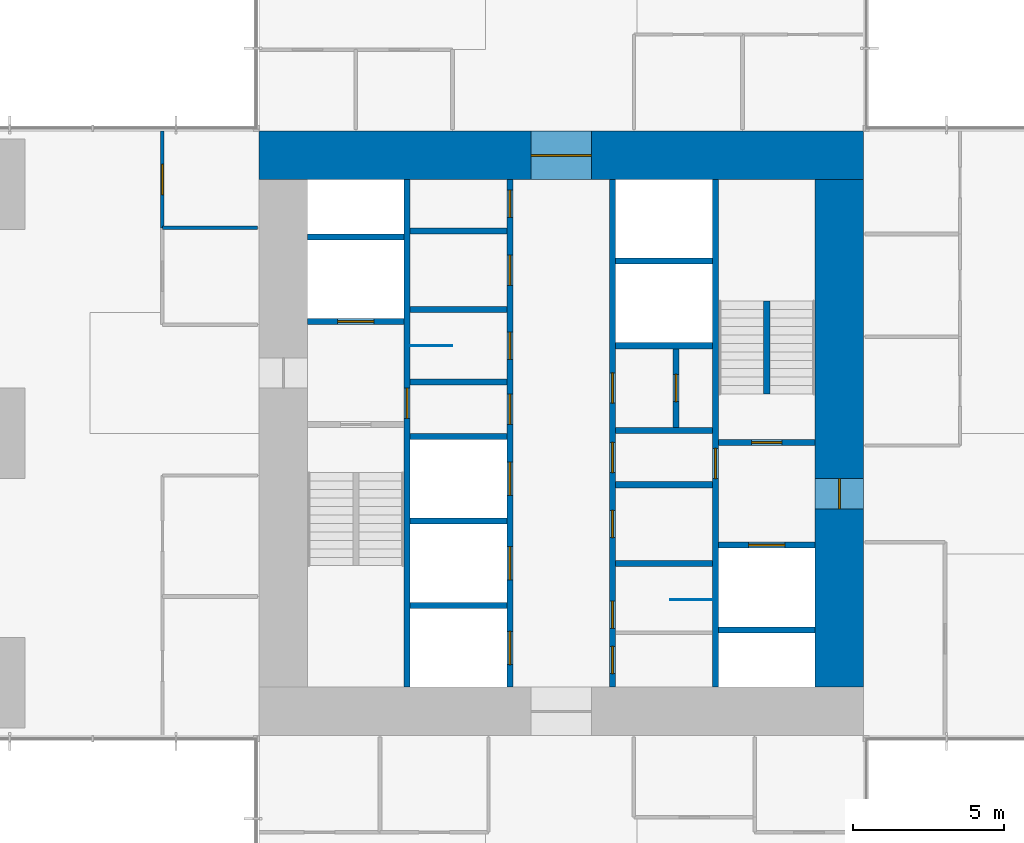
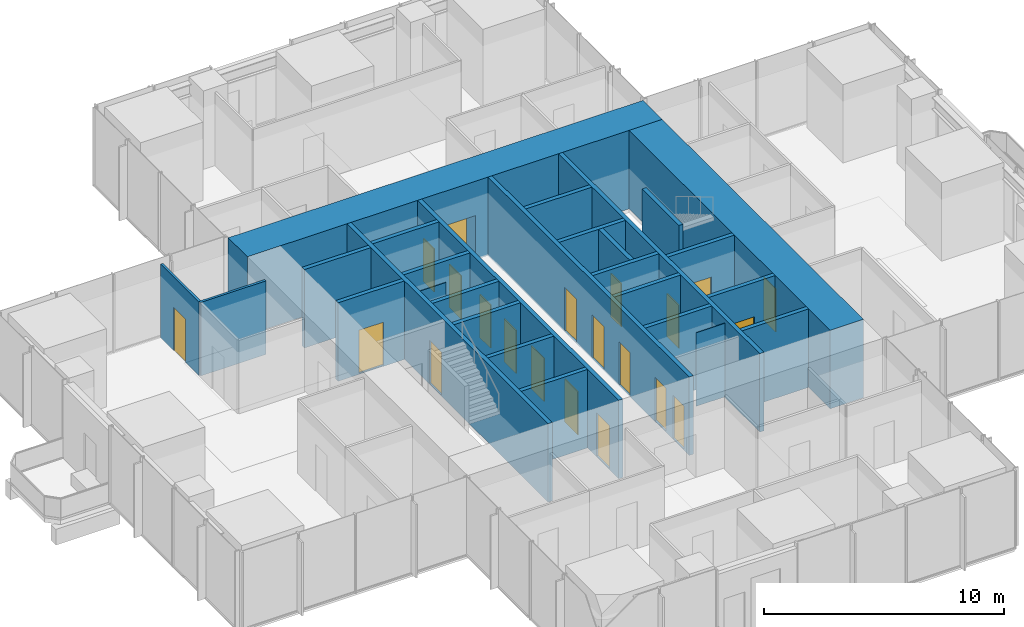
# One storey, part 9 of 13: 28 walls, 21 doors, 21 openings.
"""IFC4 building model written with IfcOpenShell, lengths in metres."""

import ifcopenshell
import ifcopenshell.guid

model = None  # the IFC model being written
_history = None  # IfcOwnerHistory: only IFC2X3 demands one
_inside = {}  # id of a spatial element -> (the spatial element, [elements in it])
_under = {}  # id of a project, library or spatial element -> (it, [spatial elements below it])
_declared = {}  # id of a project -> (the project, [libraries it declares])
_typed = {}  # id of a type object -> (the type object, [elements of that type])
_made_of = {}  # id of a material, layer set ... -> (it, [elements and type objects made of it])


def new_model(schema):
    """Start an empty IFC model of exactly this schema.

    Asked for "IFC4X3", IfcOpenShell would pick the latest addendum, in which some entities
    have other attributes; the version numbers below select the first issue.
    IFC2X3 requires an IfcOwnerHistory on every rooted entity: one is made here for all.
    """
    global model, _history
    if schema == "IFC4X3":
        model = ifcopenshell.file(schema_version=(4, 3, 0, 0))
    else:
        model = ifcopenshell.file(schema=schema)
    _inside.clear()
    _under.clear()
    _declared.clear()
    _typed.clear()
    _made_of.clear()
    _history = None
    if model.schema == "IFC2X3":
        org = make("IfcOrganization", Name="unknown")
        user = make(
            "IfcPersonAndOrganization",
            ThePerson=make("IfcPerson", FamilyName="unknown"),
            TheOrganization=org,
        )
        app = make(
            "IfcApplication",
            ApplicationDeveloper=org,
            Version="unknown",
            ApplicationFullName="unknown",
            ApplicationIdentifier="unknown",
        )
        _history = make(
            "IfcOwnerHistory",
            OwningUser=user,
            OwningApplication=app,
            ChangeAction="ADDED",
            CreationDate=0,
        )
    return model


def make(cls, **values):
    """One entity of the class cls with the attributes given. An attribute that is None is left unset."""
    return model.create_entity(
        cls, **{name: value for name, value in values.items() if value is not None}
    )


def rooted(cls, **values):
    """An entity with a GlobalId (a new one), such as an element, a storey or a relation."""
    return make(cls, GlobalId=ifcopenshell.guid.new(), OwnerHistory=_history, **values)


def si_unit(unit_type, name, prefix=None):
    """IfcSIUnit, for example si_unit("LENGTHUNIT", "METRE", prefix="MILLI")."""
    return make("IfcSIUnit", UnitType=unit_type, Prefix=prefix, Name=name)


def assignment(units):
    """IfcUnitAssignment: the units of a project."""
    return None if units is None else make("IfcUnitAssignment", Units=units)


def point(xyz):
    """IfcCartesianPoint."""
    return None if xyz is None else make("IfcCartesianPoint", Coordinates=xyz)


def direction(xyz):
    """IfcDirection."""
    return None if xyz is None else make("IfcDirection", DirectionRatios=xyz)


def frame(location, z_axis=None, x_axis=None):
    """IfcAxis2Placement3D, a coordinate frame: its origin and axes. An axis left out is left unset."""
    return make(
        "IfcAxis2Placement3D",
        Location=point(location),
        Axis=direction(z_axis),
        RefDirection=direction(x_axis),
    )


def frame_2d(location, x_axis=None):
    """IfcAxis2Placement2D, a coordinate frame in the plane: its origin and x axis."""
    return make(
        "IfcAxis2Placement2D", Location=point(location), RefDirection=direction(x_axis)
    )


def origin():
    """The frame at (0, 0, 0) with its axes left unset."""
    return frame((0.0, 0.0, 0.0))


def place(relative_to, where):
    """IfcLocalPlacement: puts the frame where relative to a parent placement (None: the world)."""
    return make(
        "IfcLocalPlacement", PlacementRelTo=relative_to, RelativePlacement=where
    )


def context(
    kind, dimensions, precision=None, world=None, true_north=None, identifier=None
):
    """IfcGeometricRepresentationContext, for example the 3D "Model" context."""
    return make(
        "IfcGeometricRepresentationContext",
        ContextIdentifier=identifier,
        ContextType=kind,
        CoordinateSpaceDimension=dimensions,
        Precision=precision,
        WorldCoordinateSystem=world,
        TrueNorth=true_north,
    )


def subcontext(parent, identifier, kind, view, scale=None):
    """IfcGeometricRepresentationSubContext, for example "Body" below "Model"."""
    return make(
        "IfcGeometricRepresentationSubContext",
        ContextIdentifier=identifier,
        ContextType=kind,
        ParentContext=parent,
        TargetScale=scale,
        TargetView=view,
    )


def project(units=None, contexts=None):
    """IfcProject with its units and contexts."""
    return rooted(
        "IfcProject",
        Name="project",
        RepresentationContexts=contexts,
        UnitsInContext=assignment(units),
    )


def spatial(cls, under=None, at=None, **own):
    """A site, building, storey or space (cls), placed at a placement, below another one or the project."""
    s = rooted(cls, ObjectPlacement=at, **own)
    if under is not None:
        _under.setdefault(under.id(), (under, []))[1].append(s)
    return s


def profile(cls, at=None, kind="AREA", **sizes):
    """A parametric profile (cls). Its sizes go by their IFC names, for example OverallWidth=200.0."""
    return make(cls, ProfileType=kind, Position=at, **sizes)


def rectangle(**sizes):
    """IfcRectangleProfileDef."""
    return profile("IfcRectangleProfileDef", **sizes)


def extrude(swept, where, along, depth):
    """IfcExtrudedAreaSolid: the profile swept, set in the frame where, extruded along a direction by depth."""
    return make(
        "IfcExtrudedAreaSolid",
        SweptArea=swept,
        Position=where,
        ExtrudedDirection=direction(along),
        Depth=depth,
    )


def shape(context_of_items, identifier, shape_type, items):
    """IfcShapeRepresentation: the items that make up one representation, for example the "Body"."""
    return make(
        "IfcShapeRepresentation",
        ContextOfItems=context_of_items,
        RepresentationIdentifier=identifier,
        RepresentationType=shape_type,
        Items=items,
    )


def material(Name=None, Category=None):
    """IfcMaterial."""
    return make("IfcMaterial", Name=Name, Category=Category)


def layer(
    of_material, thickness, ventilated=None, Name=None, Category=None, Priority=None
):
    """IfcMaterialLayer: one layer of a wall or slab, of a material (None: an air gap)."""
    return make(
        "IfcMaterialLayer",
        Material=of_material,
        LayerThickness=thickness,
        IsVentilated=ventilated,
        Name=Name,
        Category=Category,
        Priority=Priority,
    )


def layer_set(layers, Name=None):
    """IfcMaterialLayerSet."""
    return make("IfcMaterialLayerSet", MaterialLayers=layers, LayerSetName=Name)


def made_of(thing, what):
    """Note that an element or type object is made of a material, layer set ...; save() writes the relation."""
    if what is not None:
        _made_of.setdefault(what.id(), (what, []))[1].append(thing)
    return thing


def type_object(cls, material=None, **own):
    """A type object (cls), such as IfcWallType, which elements share."""
    return made_of(rooted(cls, **own), material)


def element(
    cls,
    number,
    at=None,
    inside=None,
    cuts=None,
    type_object=None,
    material=None,
    context=None,
    identifier="Body",
    shape_type=None,
    held_by="IfcProductDefinitionShape",
    body=None,
    shapes=None,
    **own,
):
    """One element of the class cls, such as IfcWall. Its Tag is "e" and its number.

    at: its placement. inside: the storey or other place that contains it. cuts: it is an
    opening in that element (IfcRelVoidsElement). A single representation is given by context,
    identifier, shape_type and body (its items); several are given by shapes. held_by: the class
    of the entity that holds the representations. save() writes the other relations.
    """
    e = rooted(cls, Tag="e%d" % number, ObjectPlacement=at, **own)
    if body is not None:
        shapes = [shape(context, identifier, shape_type, body)]
    if shapes is not None:
        e.Representation = make(held_by, Representations=shapes)
    if inside is not None:
        _inside.setdefault(inside.id(), (inside, []))[1].append(e)
    if cuts is not None:
        rooted(
            "IfcRelVoidsElement", RelatingBuildingElement=cuts, RelatedOpeningElement=e
        )
    if type_object is not None:
        _typed.setdefault(type_object.id(), (type_object, []))[1].append(e)
    return made_of(e, material)


def fill(opening, filler):
    """IfcRelFillsElement: the door or window that sits in an opening."""
    return rooted(
        "IfcRelFillsElement",
        RelatingOpeningElement=opening,
        RelatedBuildingElement=filler,
    )


def aggregate(whole, parts):
    """IfcRelAggregates: a whole, such as a stair, and the parts it consists of."""
    return rooted("IfcRelAggregates", RelatingObject=whole, RelatedObjects=parts)


def save(model, path):
    """Write the relations noted so far, then the file.

    IfcRelAggregates (storeys below a building ...), IfcRelContainedInSpatialStructure (elements
    in a storey), IfcRelDefinesByType, IfcRelAssociatesMaterial and IfcRelDeclares: one each for
    every whole, place, type object, material and project.
    """
    for whole, parts in _under.values():
        aggregate(whole, parts)
    for where, things in _inside.values():
        rooted(
            "IfcRelContainedInSpatialStructure",
            RelatedElements=things,
            RelatingStructure=where,
        )
    for kind, things in _typed.values():
        rooted("IfcRelDefinesByType", RelatedObjects=things, RelatingType=kind)
    for what, things in _made_of.values():
        rooted("IfcRelAssociatesMaterial", RelatedObjects=things, RelatingMaterial=what)
    for by, libraries in _declared.values():
        rooted("IfcRelDeclares", RelatingContext=by, RelatedDefinitions=libraries)
    model.write(path)


model = new_model("IFC4")

# Units and contexts
model_context = context("Model", 3, precision=1e-05, world=origin(), true_north=direction((0.0, 1.0)))
body_context = subcontext(model_context, "Body", "Model", "MODEL_VIEW")
ifc_project = project(units=[si_unit("LENGTHUNIT", "METRE"), si_unit("AREAUNIT", "SQUARE_METRE"), si_unit("VOLUMEUNIT", "CUBIC_METRE"), si_unit("PLANEANGLEUNIT", "RADIAN"), si_unit("MASSUNIT", "GRAM", prefix="KILO")], contexts=[model_context])

# Site, building, storey
site_placement = place(None, origin())
site = spatial("IfcSite", under=ifc_project, at=site_placement, CompositionType="ELEMENT")
building_placement = place(site_placement, origin())
building = spatial("IfcBuilding", under=site, at=building_placement, Name="Svetlomir Tower", CompositionType="ELEMENT")
storey_placement = place(building_placement, frame((0.0, 0.0, 124.5)))
storey = spatial("IfcBuildingStorey", under=building, at=storey_placement, Name="L29", CompositionType="ELEMENT", Elevation=124.5)

# Wall, opening, door
ifc_material_1 = material(Name="Concrete C60/75", Category="concrete")
ifc_layer_1 = layer(ifc_material_1, 0.199951171875)
ifc_layer_set_1 = layer_set([ifc_layer_1], Name="Concrete C60/75")
wall_type_1 = type_object("IfcWallType", Name="CORE INNER WALL 200", PredefinedType="SHEAR", material=ifc_layer_set_1)
wall_1_placement = place(storey_placement, frame((15.89990234375, 12.60009765625, -0.050048828125), z_axis=(0.0, 0.0, 1.0), x_axis=(0.0, 1.0, 0.0)))
wall_1 = element("IfcWall", 1, at=wall_1_placement, inside=storey, type_object=wall_type_1, Name="Core inner wall 15.9 L29", PredefinedType="SHEAR", context=body_context, shape_type="SweptSolid", body=[
    extrude(rectangle(XDim=16.7998046875, YDim=0.199951171875, at=frame_2d((8.39990234375, 0.0))), origin(), (0.0, 0.0, 1.0), 4.0),
])
opening_1_placement = place(wall_1_placement, frame((8.89990234375, 0.0, 0.050048828125)))
opening_1 = element("IfcOpeningElement", 2, at=opening_1_placement, cuts=wall_1, Name="Opening DF", PredefinedType="OPENING", context=body_context, shape_type="SweptSolid", body=[
    extrude(rectangle(XDim=1.0, YDim=2.199951171875, at=frame_2d((0.5, 1.10009765625))), frame((0.0, 0.10986328125, 0.0), z_axis=(0.0, -1.0, 0.0), x_axis=(1.0, 0.0, 0.0)), (0.0, 0.0, 1.0), 0.219970703125),
])
ifc_material_2 = material(Name="Steel fire door", Category="steel")
door_type_1 = type_object("IfcDoorType", Name="DOOR DF 1000x2200", OperationType="SINGLE_SWING_LEFT", PredefinedType="DOOR", material=ifc_material_2)
door_1_placement = place(opening_1_placement, origin())
door_1 = element("IfcDoor", 3, at=door_1_placement, inside=storey, type_object=door_type_1, Name="Core corridor west door L29", OperationType="SINGLE_SWING_LEFT", OverallHeight=2.199951171875, OverallWidth=1.0, PredefinedType="DOOR", context=body_context, shape_type="SweptSolid", body=[
    extrude(rectangle(XDim=1.0, YDim=2.199951171875, at=frame_2d((0.5, 1.10009765625))), frame((0.0, 0.02490234375, 0.0), z_axis=(0.0, -1.0, 0.0), x_axis=(1.0, 0.0, 0.0)), (0.0, 0.0, 1.0), 0.050048828125),
])
fill(opening_1, door_1)

# Wall, openings, doors
wall_2_placement = place(storey_placement, frame((19.300048828125, 12.60009765625, -0.050048828125), z_axis=(0.0, 0.0, 1.0), x_axis=(0.0, 1.0, 0.0)))
wall_2 = element("IfcWall", 4, at=wall_2_placement, inside=storey, type_object=wall_type_1, Name="Core inner wall 19.3 L29", PredefinedType="SHEAR", context=body_context, shape_type="SweptSolid", body=[
    extrude(rectangle(XDim=16.7998046875, YDim=0.199951171875, at=frame_2d((8.39990234375, 0.0))), origin(), (0.0, 0.0, 1.0), 4.0),
])
opening_2_placement = place(wall_2_placement, frame((8.699951171875, 0.0, 0.050048828125)))
opening_2 = element("IfcOpeningElement", 5, at=opening_2_placement, cuts=wall_2, Name="Opening DC", PredefinedType="OPENING", context=body_context, shape_type="SweptSolid", body=[
    extrude(rectangle(XDim=1.0, YDim=2.199951171875, at=frame_2d((0.5, 1.10009765625))), frame((0.0, 0.10986328125, 0.0), z_axis=(0.0, -1.0, 0.0), x_axis=(1.0, 0.0, 0.0)), (0.0, 0.0, 1.0), 0.219970703125),
])
opening_3_placement = place(wall_2_placement, frame((10.85009765625, 0.0, 0.050048828125)))
opening_3 = element("IfcOpeningElement", 6, at=opening_3_placement, cuts=wall_2, Name="Opening DW", PredefinedType="OPENING", context=body_context, shape_type="SweptSolid", body=[
    extrude(rectangle(XDim=0.89990234375, YDim=2.199951171875, at=frame_2d((0.449951171875, 1.10009765625))), frame((0.0, 0.10986328125, 0.0), z_axis=(0.0, -1.0, 0.0), x_axis=(1.0, 0.0, 0.0)), (0.0, 0.0, 1.0), 0.219970703125),
])
opening_4_placement = place(wall_2_placement, frame((13.300048828125, 0.0, 0.050048828125)))
opening_4 = element("IfcOpeningElement", 7, at=opening_4_placement, cuts=wall_2, Name="Opening DC", PredefinedType="OPENING", context=body_context, shape_type="SweptSolid", body=[
    extrude(rectangle(XDim=1.0, YDim=2.199951171875, at=frame_2d((0.5, 1.10009765625))), frame((0.0, 0.10986328125, 0.0), z_axis=(0.0, -1.0, 0.0), x_axis=(1.0, 0.0, 0.0)), (0.0, 0.0, 1.0), 0.219970703125),
])
opening_5_placement = place(wall_2_placement, frame((15.550048828125, 0.0, 0.050048828125)))
opening_5 = element("IfcOpeningElement", 8, at=opening_5_placement, cuts=wall_2, Name="Opening DW", PredefinedType="OPENING", context=body_context, shape_type="SweptSolid", body=[
    extrude(rectangle(XDim=0.89990234375, YDim=2.199951171875, at=frame_2d((0.449951171875, 1.10009765625))), frame((0.0, 0.10986328125, 0.0), z_axis=(0.0, -1.0, 0.0), x_axis=(1.0, 0.0, 0.0)), (0.0, 0.0, 1.0), 0.219970703125),
])
opening_6_placement = place(wall_2_placement, frame((0.75, 0.0, 0.050048828125)))
opening_6 = element("IfcOpeningElement", 9, at=opening_6_placement, cuts=wall_2, Name="Opening LD", PredefinedType="OPENING", context=body_context, shape_type="SweptSolid", body=[
    extrude(rectangle(XDim=1.10009765625, YDim=2.199951171875, at=frame_2d((0.550048828125, 1.10009765625))), frame((0.0, 0.10986328125, 0.0), z_axis=(0.0, -1.0, 0.0), x_axis=(1.0, 0.0, 0.0)), (0.0, 0.0, 1.0), 0.219970703125),
])
opening_7_placement = place(wall_2_placement, frame((3.550048828125, 0.0, 0.050048828125)))
opening_7 = element("IfcOpeningElement", 10, at=opening_7_placement, cuts=wall_2, Name="Opening LD", PredefinedType="OPENING", context=body_context, shape_type="SweptSolid", body=[
    extrude(rectangle(XDim=1.10009765625, YDim=2.199951171875, at=frame_2d((0.550048828125, 1.10009765625))), frame((0.0, 0.10986328125, 0.0), z_axis=(0.0, -1.0, 0.0), x_axis=(1.0, 0.0, 0.0)), (0.0, 0.0, 1.0), 0.219970703125),
])
opening_8_placement = place(wall_2_placement, frame((6.35009765625, 0.0, 0.050048828125)))
opening_8 = element("IfcOpeningElement", 11, at=opening_8_placement, cuts=wall_2, Name="Opening LD", PredefinedType="OPENING", context=body_context, shape_type="SweptSolid", body=[
    extrude(rectangle(XDim=1.10009765625, YDim=2.199951171875, at=frame_2d((0.550048828125, 1.10009765625))), frame((0.0, 0.10986328125, 0.0), z_axis=(0.0, -1.0, 0.0), x_axis=(1.0, 0.0, 0.0)), (0.0, 0.0, 1.0), 0.219970703125),
])
ifc_material_3 = material(Name="Timber fire door", Category="wood")
door_type_2 = type_object("IfcDoorType", Name="DOOR DC 1000x2200", OperationType="SINGLE_SWING_LEFT", PredefinedType="DOOR", material=ifc_material_3)
door_2_placement = place(opening_2_placement, origin())
door_2 = element("IfcDoor", 12, at=door_2_placement, inside=storey, type_object=door_type_2, Name="Core corridor west lobby door L29", OperationType="SINGLE_SWING_RIGHT", OverallHeight=2.199951171875, OverallWidth=1.0, PredefinedType="DOOR", context=body_context, shape_type="SweptSolid", body=[
    extrude(rectangle(XDim=1.0, YDim=2.199951171875, at=frame_2d((0.5, 1.10009765625))), frame((0.0, 0.02490234375, 0.0), z_axis=(0.0, -1.0, 0.0), x_axis=(1.0, 0.0, 0.0)), (0.0, 0.0, 1.0), 0.050048828125),
])
fill(opening_2, door_2)
door_3_placement = place(opening_4_placement, origin())
door_3 = element("IfcDoor", 13, at=door_3_placement, inside=storey, type_object=door_type_2, Name="Accessible WC door L29", OperationType="SINGLE_SWING_LEFT", OverallHeight=2.199951171875, OverallWidth=1.0, PredefinedType="DOOR", context=body_context, shape_type="SweptSolid", body=[
    extrude(rectangle(XDim=1.0, YDim=2.199951171875, at=frame_2d((0.5, 1.10009765625))), frame((0.0, 0.02490234375, 0.0), z_axis=(0.0, -1.0, 0.0), x_axis=(1.0, 0.0, 0.0)), (0.0, 0.0, 1.0), 0.050048828125),
])
fill(opening_4, door_3)
ifc_material_4 = material(Name="Timber fire door", Category="wood")
door_type_3 = type_object("IfcDoorType", Name="DOOR DW 900x2200", OperationType="SINGLE_SWING_LEFT", PredefinedType="DOOR", material=ifc_material_4)
door_4_placement = place(opening_3_placement, origin())
door_4 = element("IfcDoor", 14, at=door_4_placement, inside=storey, type_object=door_type_3, Name="Female WC door L29", OperationType="SINGLE_SWING_RIGHT", OverallHeight=2.199951171875, OverallWidth=0.89990234375, PredefinedType="DOOR", context=body_context, shape_type="SweptSolid", body=[
    extrude(rectangle(XDim=0.89990234375, YDim=2.199951171875, at=frame_2d((0.449951171875, 1.10009765625))), frame((0.0, 0.02490234375, 0.0), z_axis=(0.0, -1.0, 0.0), x_axis=(1.0, 0.0, 0.0)), (0.0, 0.0, 1.0), 0.050048828125),
])
fill(opening_3, door_4)
door_5_placement = place(opening_5_placement, origin())
door_5 = element("IfcDoor", 15, at=door_5_placement, inside=storey, type_object=door_type_3, Name="Tea point door L29", OperationType="SINGLE_SWING_RIGHT", OverallHeight=2.199951171875, OverallWidth=0.89990234375, PredefinedType="DOOR", context=body_context, shape_type="SweptSolid", body=[
    extrude(rectangle(XDim=0.89990234375, YDim=2.199951171875, at=frame_2d((0.449951171875, 1.10009765625))), frame((0.0, 0.02490234375, 0.0), z_axis=(0.0, -1.0, 0.0), x_axis=(1.0, 0.0, 0.0)), (0.0, 0.0, 1.0), 0.050048828125),
])
fill(opening_5, door_5)
ifc_material_5 = material(Name="Stainless steel landing door", Category="steel")
door_type_4 = type_object("IfcDoorType", Name="LIFT LANDING DOOR LD 1100x2200", OperationType="DOUBLE_DOOR_SLIDING", PredefinedType="DOOR", material=ifc_material_5)
door_6_placement = place(opening_6_placement, origin())
door_6 = element("IfcDoor", 16, at=door_6_placement, inside=storey, type_object=door_type_4, Name="Landing door lift LB1 L29", OperationType="DOUBLE_DOOR_SLIDING", OverallHeight=2.199951171875, OverallWidth=1.10009765625, PredefinedType="DOOR", context=body_context, shape_type="SweptSolid", body=[
    extrude(rectangle(XDim=1.10009765625, YDim=2.199951171875, at=frame_2d((0.550048828125, 1.10009765625))), frame((0.0, 0.02490234375, 0.0), z_axis=(0.0, -1.0, 0.0), x_axis=(1.0, 0.0, 0.0)), (0.0, 0.0, 1.0), 0.050048828125),
])
fill(opening_6, door_6)
door_7_placement = place(opening_7_placement, origin())
door_7 = element("IfcDoor", 17, at=door_7_placement, inside=storey, type_object=door_type_4, Name="Landing door lift LB2 L29", OperationType="DOUBLE_DOOR_SLIDING", OverallHeight=2.199951171875, OverallWidth=1.10009765625, PredefinedType="DOOR", context=body_context, shape_type="SweptSolid", body=[
    extrude(rectangle(XDim=1.10009765625, YDim=2.199951171875, at=frame_2d((0.550048828125, 1.10009765625))), frame((0.0, 0.02490234375, 0.0), z_axis=(0.0, -1.0, 0.0), x_axis=(1.0, 0.0, 0.0)), (0.0, 0.0, 1.0), 0.050048828125),
])
fill(opening_7, door_7)
door_8_placement = place(opening_8_placement, origin())
door_8 = element("IfcDoor", 18, at=door_8_placement, inside=storey, type_object=door_type_4, Name="Landing door lift LB3 L29", OperationType="DOUBLE_DOOR_SLIDING", OverallHeight=2.199951171875, OverallWidth=1.10009765625, PredefinedType="DOOR", context=body_context, shape_type="SweptSolid", body=[
    extrude(rectangle(XDim=1.10009765625, YDim=2.199951171875, at=frame_2d((0.550048828125, 1.10009765625))), frame((0.0, 0.02490234375, 0.0), z_axis=(0.0, -1.0, 0.0), x_axis=(1.0, 0.0, 0.0)), (0.0, 0.0, 1.0), 0.050048828125),
])
fill(opening_8, door_8)

wall_3_placement = place(storey_placement, frame((22.699951171875, 12.60009765625, -0.050048828125), z_axis=(0.0, 0.0, 1.0), x_axis=(0.0, 1.0, 0.0)))
wall_3 = element("IfcWall", 19, at=wall_3_placement, inside=storey, type_object=wall_type_1, Name="Core inner wall 22.7 L29", PredefinedType="SHEAR", context=body_context, shape_type="SweptSolid", body=[
    extrude(rectangle(XDim=16.7998046875, YDim=0.199951171875, at=frame_2d((8.39990234375, 0.0))), origin(), (0.0, 0.0, 1.0), 4.0),
])
opening_9_placement = place(wall_3_placement, frame((0.449951171875, 0.0, 0.050048828125)))
opening_9 = element("IfcOpeningElement", 20, at=opening_9_placement, cuts=wall_3, Name="Opening DW", PredefinedType="OPENING", context=body_context, shape_type="SweptSolid", body=[
    extrude(rectangle(XDim=0.89990234375, YDim=2.199951171875, at=frame_2d((0.449951171875, 1.10009765625))), frame((0.0, 0.10986328125, 0.0), z_axis=(0.0, -1.0, 0.0), x_axis=(1.0, 0.0, 0.0)), (0.0, 0.0, 1.0), 0.219970703125),
])
opening_10_placement = place(wall_3_placement, frame((7.10009765625, 0.0, 0.050048828125)))
opening_10 = element("IfcOpeningElement", 21, at=opening_10_placement, cuts=wall_3, Name="Opening DC", PredefinedType="OPENING", context=body_context, shape_type="SweptSolid", body=[
    extrude(rectangle(XDim=1.0, YDim=2.199951171875, at=frame_2d((0.5, 1.10009765625))), frame((0.0, 0.10986328125, 0.0), z_axis=(0.0, -1.0, 0.0), x_axis=(1.0, 0.0, 0.0)), (0.0, 0.0, 1.0), 0.219970703125),
])
opening_11_placement = place(wall_3_placement, frame((1.949951171875, 0.0, 0.050048828125)))
opening_11 = element("IfcOpeningElement", 22, at=opening_11_placement, cuts=wall_3, Name="Opening DW", PredefinedType="OPENING", context=body_context, shape_type="SweptSolid", body=[
    extrude(rectangle(XDim=0.89990234375, YDim=2.199951171875, at=frame_2d((0.449951171875, 1.10009765625))), frame((0.0, 0.10986328125, 0.0), z_axis=(0.0, -1.0, 0.0), x_axis=(1.0, 0.0, 0.0)), (0.0, 0.0, 1.0), 0.219970703125),
])
opening_12_placement = place(wall_3_placement, frame((4.949951171875, 0.0, 0.050048828125)))
opening_12 = element("IfcOpeningElement", 23, at=opening_12_placement, cuts=wall_3, Name="Opening DW", PredefinedType="OPENING", context=body_context, shape_type="SweptSolid", body=[
    extrude(rectangle(XDim=0.89990234375, YDim=2.199951171875, at=frame_2d((0.449951171875, 1.10009765625))), frame((0.0, 0.10986328125, 0.0), z_axis=(0.0, -1.0, 0.0), x_axis=(1.0, 0.0, 0.0)), (0.0, 0.0, 1.0), 0.219970703125),
])
opening_13_placement = place(wall_3_placement, frame((9.39990234375, 0.0, 0.050048828125)))
opening_13 = element("IfcOpeningElement", 24, at=opening_13_placement, cuts=wall_3, Name="Opening DC", PredefinedType="OPENING", context=body_context, shape_type="SweptSolid", body=[
    extrude(rectangle(XDim=1.0, YDim=2.199951171875, at=frame_2d((0.5, 1.10009765625))), frame((0.0, 0.10986328125, 0.0), z_axis=(0.0, -1.0, 0.0), x_axis=(1.0, 0.0, 0.0)), (0.0, 0.0, 1.0), 0.219970703125),
])
door_9_placement = place(opening_10_placement, origin())
door_9 = element("IfcDoor", 25, at=door_9_placement, inside=storey, type_object=door_type_2, Name="Core corridor east lobby door L29", OperationType="SINGLE_SWING_LEFT", OverallHeight=2.199951171875, OverallWidth=1.0, PredefinedType="DOOR", context=body_context, shape_type="SweptSolid", body=[
    extrude(rectangle(XDim=1.0, YDim=2.199951171875, at=frame_2d((0.5, 1.10009765625))), frame((0.0, 0.02490234375, 0.0), z_axis=(0.0, -1.0, 0.0), x_axis=(1.0, 0.0, 0.0)), (0.0, 0.0, 1.0), 0.050048828125),
])
fill(opening_10, door_9)
door_10_placement = place(opening_13_placement, origin())
door_10 = element("IfcDoor", 26, at=door_10_placement, inside=storey, type_object=door_type_2, Name="Converted shaft BANK-E1 room door L29", OperationType="SINGLE_SWING_LEFT", OverallHeight=2.199951171875, OverallWidth=1.0, PredefinedType="DOOR", context=body_context, shape_type="SweptSolid", body=[
    extrude(rectangle(XDim=1.0, YDim=2.199951171875, at=frame_2d((0.5, 1.10009765625))), frame((0.0, 0.02490234375, 0.0), z_axis=(0.0, -1.0, 0.0), x_axis=(1.0, 0.0, 0.0)), (0.0, 0.0, 1.0), 0.050048828125),
])
fill(opening_13, door_10)
door_11_placement = place(opening_9_placement, origin())
door_11 = element("IfcDoor", 27, at=door_11_placement, inside=storey, type_object=door_type_3, Name="Floor store door L29", OperationType="SINGLE_SWING_LEFT", OverallHeight=2.199951171875, OverallWidth=0.89990234375, PredefinedType="DOOR", context=body_context, shape_type="SweptSolid", body=[
    extrude(rectangle(XDim=0.89990234375, YDim=2.199951171875, at=frame_2d((0.449951171875, 1.10009765625))), frame((0.0, 0.02490234375, 0.0), z_axis=(0.0, -1.0, 0.0), x_axis=(1.0, 0.0, 0.0)), (0.0, 0.0, 1.0), 0.050048828125),
])
fill(opening_9, door_11)
door_12_placement = place(opening_11_placement, origin())
door_12 = element("IfcDoor", 28, at=door_12_placement, inside=storey, type_object=door_type_3, Name="Male WC door L29", OperationType="SINGLE_SWING_LEFT", OverallHeight=2.199951171875, OverallWidth=0.89990234375, PredefinedType="DOOR", context=body_context, shape_type="SweptSolid", body=[
    extrude(rectangle(XDim=0.89990234375, YDim=2.199951171875, at=frame_2d((0.449951171875, 1.10009765625))), frame((0.0, 0.02490234375, 0.0), z_axis=(0.0, -1.0, 0.0), x_axis=(1.0, 0.0, 0.0)), (0.0, 0.0, 1.0), 0.050048828125),
])
fill(opening_11, door_12)
door_13_placement = place(opening_12_placement, origin())
door_13 = element("IfcDoor", 29, at=door_13_placement, inside=storey, type_object=door_type_3, Name="Comms room door L29", OperationType="SINGLE_SWING_RIGHT", OverallHeight=2.199951171875, OverallWidth=0.89990234375, PredefinedType="DOOR", context=body_context, shape_type="SweptSolid", body=[
    extrude(rectangle(XDim=0.89990234375, YDim=2.199951171875, at=frame_2d((0.449951171875, 1.10009765625))), frame((0.0, 0.02490234375, 0.0), z_axis=(0.0, -1.0, 0.0), x_axis=(1.0, 0.0, 0.0)), (0.0, 0.0, 1.0), 0.050048828125),
])
fill(opening_12, door_13)

# Wall, opening, door
wall_4_placement = place(storey_placement, frame((26.10009765625, 12.60009765625, -0.050048828125), z_axis=(0.0, 0.0, 1.0), x_axis=(0.0, 1.0, 0.0)))
wall_4 = element("IfcWall", 30, at=wall_4_placement, inside=storey, type_object=wall_type_1, Name="Core inner wall 26.1 L29", PredefinedType="SHEAR", context=body_context, shape_type="SweptSolid", body=[
    extrude(rectangle(XDim=16.7998046875, YDim=0.199951171875, at=frame_2d((8.39990234375, 0.0))), origin(), (0.0, 0.0, 1.0), 4.0),
])
opening_14_placement = place(wall_4_placement, frame((6.89990234375, 0.0, 0.050048828125)))
opening_14 = element("IfcOpeningElement", 31, at=opening_14_placement, cuts=wall_4, Name="Opening DF", PredefinedType="OPENING", context=body_context, shape_type="SweptSolid", body=[
    extrude(rectangle(XDim=1.0, YDim=2.199951171875, at=frame_2d((0.5, 1.10009765625))), frame((0.0, 0.10986328125, 0.0), z_axis=(0.0, -1.0, 0.0), x_axis=(1.0, 0.0, 0.0)), (0.0, 0.0, 1.0), 0.219970703125),
])
door_14_placement = place(opening_14_placement, origin())
door_14 = element("IfcDoor", 32, at=door_14_placement, inside=storey, type_object=door_type_1, Name="Core corridor east door L29", OperationType="SINGLE_SWING_LEFT", OverallHeight=2.199951171875, OverallWidth=1.0, PredefinedType="DOOR", context=body_context, shape_type="SweptSolid", body=[
    extrude(rectangle(XDim=1.0, YDim=2.199951171875, at=frame_2d((0.5, 1.10009765625))), frame((0.0, 0.02490234375, 0.0), z_axis=(0.0, -1.0, 0.0), x_axis=(1.0, 0.0, 0.0)), (0.0, 0.0, 1.0), 0.050048828125),
])
fill(opening_14, door_14)

wall_5_placement = place(storey_placement, frame((12.60009765625, 24.699951171875, -0.050048828125), z_axis=(0.0, 0.0, 1.0), x_axis=(1.0, 0.0, 0.0)))
wall_5 = element("IfcWall", 33, at=wall_5_placement, inside=storey, type_object=wall_type_1, Name="Core inner wall 12.6-15.8/24.7 L29", PredefinedType="SHEAR", context=body_context, shape_type="SweptSolid", body=[
    extrude(rectangle(XDim=3.199951171875, YDim=0.199951171875, at=frame_2d((1.60009765625, 0.0))), origin(), (0.0, 0.0, 1.0), 4.0),
])
opening_15_placement = place(wall_5_placement, frame((1.0, 0.0, 0.050048828125)))
opening_15 = element("IfcOpeningElement", 34, at=opening_15_placement, cuts=wall_5, Name="Opening LD3", PredefinedType="OPENING", context=body_context, shape_type="SweptSolid", body=[
    extrude(rectangle(XDim=1.199951171875, YDim=2.199951171875, at=frame_2d((0.60009765625, 1.10009765625))), frame((0.0, 0.10986328125, 0.0), z_axis=(0.0, -1.0, 0.0), x_axis=(1.0, 0.0, 0.0)), (0.0, 0.0, 1.0), 0.219970703125),
])
ifc_material_6 = material(Name="Stainless steel fire-rated landing door", Category="steel")
door_type_5 = type_object("IfcDoorType", Name="FIREFIGHTING LIFT LANDING DOOR LD3 1200x2200", OperationType="DOUBLE_DOOR_SLIDING", PredefinedType="DOOR", material=ifc_material_6)
door_15_placement = place(opening_15_placement, origin())
door_15 = element("IfcDoor", 35, at=door_15_placement, inside=storey, type_object=door_type_5, Name="Landing door lift FL1 L29", OperationType="DOUBLE_DOOR_SLIDING", OverallHeight=2.199951171875, OverallWidth=1.199951171875, PredefinedType="DOOR", context=body_context, shape_type="SweptSolid", body=[
    extrude(rectangle(XDim=1.199951171875, YDim=2.199951171875, at=frame_2d((0.60009765625, 1.10009765625))), frame((0.0, 0.02490234375, 0.0), z_axis=(0.0, -1.0, 0.0), x_axis=(1.0, 0.0, 0.0)), (0.0, 0.0, 1.0), 0.050048828125),
])
fill(opening_15, door_15)

# Walls
for number, where, z_axis, x_axis, name in (
    (36, (12.60009765625, 27.5, -0.050048828125), (0.0, 0.0, 1.0), (1.0, 0.0, 0.0), "Core inner wall 12.6-15.8/27.5 L29"),
    (37, (16.0, 15.300048828125, -0.050048828125), (0.0, 0.0, 1.0), (1.0, 0.0, 0.0), "Core inner wall 16-19.2/15.3 L29"),
    (38, (16.0, 18.10009765625, -0.050048828125), (0.0, 0.0, 1.0), (1.0, 0.0, 0.0), "Core inner wall 16-19.2/18.1 L29"),
    (39, (16.0, 20.89990234375, -0.050048828125), (0.0, 0.0, 1.0), (1.0, 0.0, 0.0), "Core inner wall 16-19.2/20.9 L29"),
    (40, (16.0, 22.699951171875, -0.050048828125), (0.0, 0.0, 1.0), (1.0, 0.0, 0.0), "Core inner wall 16-19.2/22.7 L29"),
    (41, (16.0, 25.10009765625, -0.050048828125), (0.0, 0.0, 1.0), (1.0, 0.0, 0.0), "Core inner wall 16-19.2/25.1 L29"),
    (42, (16.0, 27.699951171875, -0.050048828125), (0.0, 0.0, 1.0), (1.0, 0.0, 0.0), "Core inner wall 16-19.2/27.7 L29"),
    (43, (22.800048828125, 16.699951171875, -0.050048828125), (0.0, 0.0, 1.0), (1.0, 0.0, 0.0), "Core inner wall 22.8-26/16.7 L29"),
    (44, (22.800048828125, 19.300048828125, -0.050048828125), (0.0, 0.0, 1.0), (1.0, 0.0, 0.0), "Core inner wall 22.8-26/19.3 L29"),
    (45, (22.800048828125, 21.10009765625, -0.050048828125), (0.0, 0.0, 1.0), (1.0, 0.0, 0.0), "Core inner wall 22.8-26/21.1 L29"),
    (46, (22.800048828125, 23.89990234375, -0.050048828125), (0.0, 0.0, 1.0), (1.0, 0.0, 0.0), "Core inner wall 22.8-26/23.9 L29"),
    (47, (22.800048828125, 26.699951171875, -0.050048828125), (0.0, 0.0, 1.0), (1.0, 0.0, 0.0), "Core inner wall 22.8-26/26.7 L29"),
    (48, (26.199951171875, 14.5, -0.050048828125), (0.0, 0.0, 1.0), (1.0, 0.0, 0.0), "Core inner wall 26.2-29.4/14.5 L29"),
):
    element("IfcWall", number, at=place(storey_placement, frame(where, z_axis=z_axis, x_axis=x_axis)), inside=storey, type_object=wall_type_1, Name=name, PredefinedType="SHEAR", context=body_context, shape_type="SweptSolid", body=[
        extrude(rectangle(XDim=3.199951171875, YDim=0.199951171875, at=frame_2d((1.60009765625, 0.0))), origin(), (0.0, 0.0, 1.0), 4.0),
    ])

# Wall, opening, door
wall_6_placement = place(storey_placement, frame((26.199951171875, 17.300048828125, -0.050048828125), z_axis=(0.0, 0.0, 1.0), x_axis=(1.0, 0.0, 0.0)))
wall_6 = element("IfcWall", 49, at=wall_6_placement, inside=storey, type_object=wall_type_1, Name="Core inner wall 26.2-29.4/17.3 L29", PredefinedType="SHEAR", context=body_context, shape_type="SweptSolid", body=[
    extrude(rectangle(XDim=3.199951171875, YDim=0.199951171875, at=frame_2d((1.60009765625, 0.0))), origin(), (0.0, 0.0, 1.0), 4.0),
])
opening_16_placement = place(wall_6_placement, frame((1.0, 0.0, 0.050048828125)))
opening_16 = element("IfcOpeningElement", 50, at=opening_16_placement, cuts=wall_6, Name="Opening LD3", PredefinedType="OPENING", context=body_context, shape_type="SweptSolid", body=[
    extrude(rectangle(XDim=1.199951171875, YDim=2.199951171875, at=frame_2d((0.60009765625, 1.10009765625))), frame((0.0, 0.10986328125, 0.0), z_axis=(0.0, -1.0, 0.0), x_axis=(1.0, 0.0, 0.0)), (0.0, 0.0, 1.0), 0.219970703125),
])
door_16_placement = place(opening_16_placement, origin())
door_16 = element("IfcDoor", 51, at=door_16_placement, inside=storey, type_object=door_type_5, Name="Landing door lift FL2 L29", OperationType="DOUBLE_DOOR_SLIDING", OverallHeight=2.199951171875, OverallWidth=1.199951171875, PredefinedType="DOOR", context=body_context, shape_type="SweptSolid", body=[
    extrude(rectangle(XDim=1.199951171875, YDim=2.199951171875, at=frame_2d((0.60009765625, 1.10009765625))), frame((0.0, 0.02490234375, 0.0), z_axis=(0.0, -1.0, 0.0), x_axis=(1.0, 0.0, 0.0)), (0.0, 0.0, 1.0), 0.050048828125),
])
fill(opening_16, door_16)

wall_7_placement = place(storey_placement, frame((26.199951171875, 20.699951171875, -0.050048828125), z_axis=(0.0, 0.0, 1.0), x_axis=(1.0, 0.0, 0.0)))
wall_7 = element("IfcWall", 52, at=wall_7_placement, inside=storey, type_object=wall_type_1, Name="Core inner wall 26.2-29.4/20.7 L29", PredefinedType="SHEAR", context=body_context, shape_type="SweptSolid", body=[
    extrude(rectangle(XDim=3.199951171875, YDim=0.199951171875, at=frame_2d((1.60009765625, 0.0))), origin(), (0.0, 0.0, 1.0), 4.0),
])
opening_17_placement = place(wall_7_placement, frame((1.10009765625, 0.0, 0.050048828125)))
opening_17 = element("IfcOpeningElement", 53, at=opening_17_placement, cuts=wall_7, Name="Opening DF", PredefinedType="OPENING", context=body_context, shape_type="SweptSolid", body=[
    extrude(rectangle(XDim=1.0, YDim=2.199951171875, at=frame_2d((0.5, 1.10009765625))), frame((0.0, 0.10986328125, 0.0), z_axis=(0.0, -1.0, 0.0), x_axis=(1.0, 0.0, 0.0)), (0.0, 0.0, 1.0), 0.219970703125),
])
door_17_placement = place(opening_17_placement, origin())
door_17 = element("IfcDoor", 54, at=door_17_placement, inside=storey, type_object=door_type_1, Name="Stair S2 door L29", OperationType="SINGLE_SWING_LEFT", OverallHeight=2.199951171875, OverallWidth=1.0, PredefinedType="DOOR", context=body_context, shape_type="SweptSolid", body=[
    extrude(rectangle(XDim=1.0, YDim=2.199951171875, at=frame_2d((0.5, 1.10009765625))), frame((0.0, 0.02490234375, 0.0), z_axis=(0.0, -1.0, 0.0), x_axis=(1.0, 0.0, 0.0)), (0.0, 0.0, 1.0), 0.050048828125),
])
fill(opening_17, door_17)

wall_8_placement = place(storey_placement, frame((24.800048828125, 21.199951171875, -0.050048828125), z_axis=(0.0, 0.0, 1.0), x_axis=(0.0, 1.0, 0.0)))
wall_8 = element("IfcWall", 55, at=wall_8_placement, inside=storey, type_object=wall_type_1, Name="Core inner wall 24.8/21.2-23.8 L29", PredefinedType="SHEAR", context=body_context, shape_type="SweptSolid", body=[
    extrude(rectangle(XDim=2.60009765625, YDim=0.199951171875, at=frame_2d((1.300048828125, 0.0))), origin(), (0.0, 0.0, 1.0), 4.0),
])
opening_18_placement = place(wall_8_placement, frame((0.85009765625, 0.0, 0.050048828125)))
opening_18 = element("IfcOpeningElement", 56, at=opening_18_placement, cuts=wall_8, Name="Opening DW", PredefinedType="OPENING", context=body_context, shape_type="SweptSolid", body=[
    extrude(rectangle(XDim=0.89990234375, YDim=2.199951171875, at=frame_2d((0.449951171875, 1.10009765625))), frame((0.0, 0.10986328125, 0.0), z_axis=(0.0, -1.0, 0.0), x_axis=(1.0, 0.0, 0.0)), (0.0, 0.0, 1.0), 0.219970703125),
])
door_18_placement = place(opening_18_placement, origin())
door_18 = element("IfcDoor", 57, at=door_18_placement, inside=storey, type_object=door_type_3, Name="Converted shaft BANK-E1 back room door L29", OperationType="SINGLE_SWING_RIGHT", OverallHeight=2.199951171875, OverallWidth=0.89990234375, PredefinedType="DOOR", context=body_context, shape_type="SweptSolid", body=[
    extrude(rectangle(XDim=0.89990234375, YDim=2.199951171875, at=frame_2d((0.449951171875, 1.10009765625))), frame((0.0, 0.02490234375, 0.0), z_axis=(0.0, -1.0, 0.0), x_axis=(1.0, 0.0, 0.0)), (0.0, 0.0, 1.0), 0.050048828125),
])
fill(opening_18, door_18)

ifc_material_7 = material(Name="Concrete C60/75", Category="concrete")
ifc_layer_2 = layer(ifc_material_7, 1.60009765625)
ifc_layer_set_2 = layer_set([ifc_layer_2], Name="Concrete C60/75")
wall_type_2 = type_object("IfcWallType", Name="CORE WALL 1600", PredefinedType="SHEAR", material=ifc_layer_set_2)
wall_9_placement = place(storey_placement, frame((11.0, 30.199951171875, -0.050048828125), z_axis=(0.0, 0.0, 1.0), x_axis=(1.0, 0.0, 0.0)))
wall_9 = element("IfcWall", 58, at=wall_9_placement, inside=storey, type_object=wall_type_2, Name="Core wall north L29", PredefinedType="SHEAR", context=body_context, shape_type="SweptSolid", body=[
    extrude(rectangle(XDim=20.0, YDim=1.60009765625, at=frame_2d((10.0, 0.0))), origin(), (0.0, 0.0, 1.0), 4.0),
])
opening_19_placement = place(wall_9_placement, frame((9.0, 0.0, 0.050048828125)))
opening_19 = element("IfcOpeningElement", 59, at=opening_19_placement, cuts=wall_9, Name="Opening DL", PredefinedType="OPENING", context=body_context, shape_type="SweptSolid", body=[
    extrude(rectangle(XDim=2.0, YDim=2.199951171875, at=frame_2d((1.0, 1.10009765625))), frame((0.0, 0.81005859375, 0.0), z_axis=(0.0, -1.0, 0.0), x_axis=(1.0, 0.0, 0.0)), (0.0, 0.0, 1.0), 1.6201171875),
])
ifc_material_8 = material(Name="Steel fire door", Category="steel")
door_type_6 = type_object("IfcDoorType", Name="DOOR DL 2000x2200", OperationType="DOUBLE_DOOR_SINGLE_SWING", PredefinedType="DOOR", material=ifc_material_8)
door_19_placement = place(opening_19_placement, origin())
door_19 = element("IfcDoor", 60, at=door_19_placement, inside=storey, type_object=door_type_6, Name="Lift lobby north door L29", OperationType="DOUBLE_DOOR_SINGLE_SWING", OverallHeight=2.199951171875, OverallWidth=2.0, PredefinedType="DOOR", context=body_context, shape_type="SweptSolid", body=[
    extrude(rectangle(XDim=2.0, YDim=2.199951171875, at=frame_2d((1.0, 1.10009765625))), frame((0.0, 0.02490234375, 0.0), z_axis=(0.0, -1.0, 0.0), x_axis=(1.0, 0.0, 0.0)), (0.0, 0.0, 1.0), 0.050048828125),
])
fill(opening_19, door_19)

wall_10_placement = place(storey_placement, frame((30.199951171875, 12.60009765625, -0.050048828125), z_axis=(0.0, 0.0, 1.0), x_axis=(0.0, 1.0, 0.0)))
wall_10 = element("IfcWall", 61, at=wall_10_placement, inside=storey, type_object=wall_type_2, Name="Core wall east L29", PredefinedType="SHEAR", context=body_context, shape_type="SweptSolid", body=[
    extrude(rectangle(XDim=16.7998046875, YDim=1.60009765625, at=frame_2d((8.39990234375, 0.0))), origin(), (0.0, 0.0, 1.0), 4.0),
])
opening_20_placement = place(wall_10_placement, frame((5.89990234375, 0.0, 0.050048828125)))
opening_20 = element("IfcOpeningElement", 62, at=opening_20_placement, cuts=wall_10, Name="Opening DF", PredefinedType="OPENING", context=body_context, shape_type="SweptSolid", body=[
    extrude(rectangle(XDim=1.0, YDim=2.199951171875, at=frame_2d((0.5, 1.10009765625))), frame((0.0, 0.81005859375, 0.0), z_axis=(0.0, -1.0, 0.0), x_axis=(1.0, 0.0, 0.0)), (0.0, 0.0, 1.0), 1.6201171875),
])
door_20_placement = place(opening_20_placement, origin())
door_20 = element("IfcDoor", 63, at=door_20_placement, inside=storey, type_object=door_type_1, Name="Firefighting lobby east door L29", OperationType="SINGLE_SWING_LEFT", OverallHeight=2.199951171875, OverallWidth=1.0, PredefinedType="DOOR", context=body_context, shape_type="SweptSolid", body=[
    extrude(rectangle(XDim=1.0, YDim=2.199951171875, at=frame_2d((0.5, 1.10009765625))), frame((0.0, 0.02490234375, 0.0), z_axis=(0.0, -1.0, 0.0), x_axis=(1.0, 0.0, 0.0)), (0.0, 0.0, 1.0), 0.050048828125),
])
fill(opening_20, door_20)

ifc_material_9 = material(Name="Gypsum board on steel studs", Category="steel")
ifc_layer_3 = layer(ifc_material_9, 0.1201171875)
ifc_layer_set_3 = layer_set([ifc_layer_3], Name="Gypsum board on steel studs")
wall_type_3 = type_object("IfcWallType", Name="PARTITION 120", PredefinedType="PARTITIONING", material=ifc_layer_set_3)
wall_11_placement = place(storey_placement, frame((7.800048828125, 27.800048828125, 0.0), z_axis=(0.0, 0.0, 1.0), x_axis=(0.0, 1.0, 0.0)))
wall_11 = element("IfcWall", 64, at=wall_11_placement, inside=storey, type_object=wall_type_3, Name="Partition L29", PredefinedType="PARTITIONING", context=body_context, shape_type="SweptSolid", body=[
    extrude(rectangle(XDim=3.199951171875, YDim=0.1201171875, at=frame_2d((1.60009765625, 0.0))), origin(), (0.0, 0.0, 1.0), 3.75),
])
opening_21_placement = place(wall_11_placement, frame((1.10009765625, 0.0, 0.0)))
opening_21 = element("IfcOpeningElement", 65, at=opening_21_placement, cuts=wall_11, Name="Opening DR", PredefinedType="OPENING", context=body_context, shape_type="SweptSolid", body=[
    extrude(rectangle(XDim=1.0, YDim=2.199951171875, at=frame_2d((0.5, 1.10009765625))), frame((0.0, 0.070068359375, 0.0), z_axis=(0.0, -1.0, 0.0), x_axis=(1.0, 0.0, 0.0)), (0.0, 0.0, 1.0), 0.14013671875),
])
ifc_material_10 = material(Name="Timber door, glazed side light", Category="wood")
door_type_7 = type_object("IfcDoorType", Name="DOOR DR 1000x2200", OperationType="SINGLE_SWING_LEFT", PredefinedType="DOOR", material=ifc_material_10)
door_21_placement = place(opening_21_placement, origin())
door_21 = element("IfcDoor", 66, at=door_21_placement, inside=storey, type_object=door_type_7, Name="Regulatory affairs office door L29", OperationType="SINGLE_SWING_LEFT", OverallHeight=2.199951171875, OverallWidth=1.0, PredefinedType="DOOR", context=body_context, shape_type="SweptSolid", body=[
    extrude(rectangle(XDim=1.0, YDim=2.199951171875, at=frame_2d((0.5, 1.10009765625))), frame((0.0, 0.02490234375, 0.0), z_axis=(0.0, -1.0, 0.0), x_axis=(1.0, 0.0, 0.0)), (0.0, 0.0, 1.0), 0.050048828125),
])
fill(opening_21, door_21)

# Walls
wall_12_placement = place(storey_placement, frame((7.800048828125, 27.800048828125, 0.0), z_axis=(0.0, 0.0, 1.0), x_axis=(1.0, 0.0, 0.0)))
element("IfcWall", 67, at=wall_12_placement, inside=storey, type_object=wall_type_3, Name="Partition L29", PredefinedType="PARTITIONING", context=body_context, shape_type="SweptSolid", body=[
    extrude(rectangle(XDim=3.14990234375, YDim=0.1201171875, at=frame_2d((1.574951171875, 0.0))), origin(), (0.0, 0.0, 1.0), 3.75),
])
ifc_material_11 = material(Name="Concrete C60/75", Category="concrete")
ifc_layer_4 = layer(ifc_material_11, 0.199951171875)
ifc_layer_set_4 = layer_set([ifc_layer_4], Name="Concrete C60/75")
wall_type_4 = type_object("IfcWallType", Name="STAIR SPINE WALL 200", PredefinedType="PARTITIONING", material=ifc_layer_set_4)
wall_13_placement = place(storey_placement, frame((27.800048828125, 22.300048828125, 0.0), z_axis=(0.0, 0.0, 1.0), x_axis=(0.0, 1.0, 0.0)))
element("IfcWall", 68, at=wall_13_placement, inside=storey, type_object=wall_type_4, Name="Stair S2 spine wall L29", PredefinedType="PARTITIONING", context=body_context, shape_type="SweptSolid", body=[
    extrude(rectangle(XDim=3.079833984375, YDim=0.199951171875, at=frame_2d((1.5400390625, 0.0))), origin(), (0.0, 0.0, 1.0), 4.0),
])
ifc_material_12 = material(Name="Compact laminate panel", Category="plastic")
ifc_layer_5 = layer(ifc_material_12, 0.030029296875)
ifc_layer_set_5 = layer_set([ifc_layer_5], Name="Compact laminate panel")
wall_type_5 = type_object("IfcWallType", Name="WC CUBICLE PARTITION 30", PredefinedType="PARTITIONING", material=ifc_layer_set_5)
for number, where, z_axis, x_axis, name in (
    (69, (24.60009765625, 15.5, 0.0), (0.0, 0.0, 1.0), (1.0, 0.0, 0.0), "WC cubicle partition L29"),
    (70, (16.0, 23.89990234375, 0.0), (0.0, 0.0, 1.0), (1.0, 0.0, 0.0), "WC cubicle partition L29"),
):
    element("IfcWall", number, at=place(storey_placement, frame(where, z_axis=z_axis, x_axis=x_axis)), inside=storey, type_object=wall_type_5, Name=name, PredefinedType="PARTITIONING", context=body_context, shape_type="SweptSolid", body=[
        extrude(rectangle(XDim=1.39990234375, YDim=0.030029296875, at=frame_2d((0.699951171875, 0.0))), origin(), (0.0, 0.0, 1.0), 3.75),
    ])

save(model, "model.ifc")
